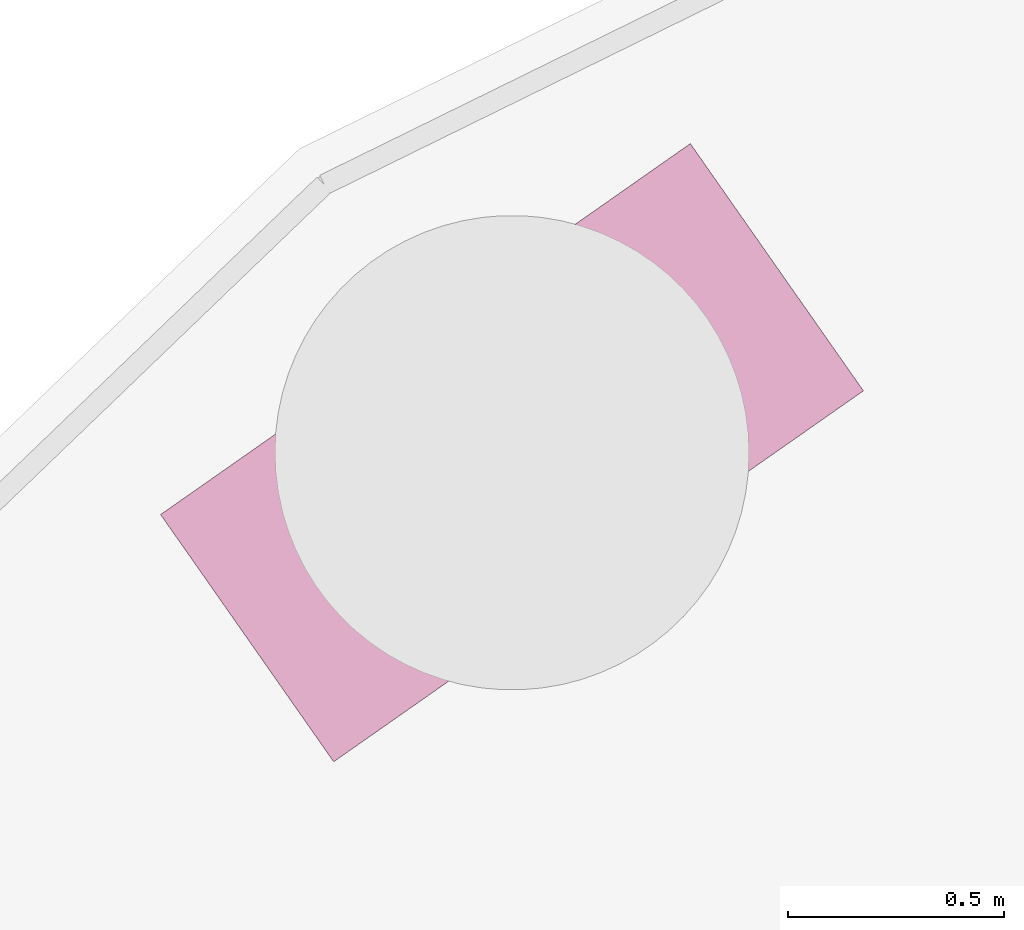
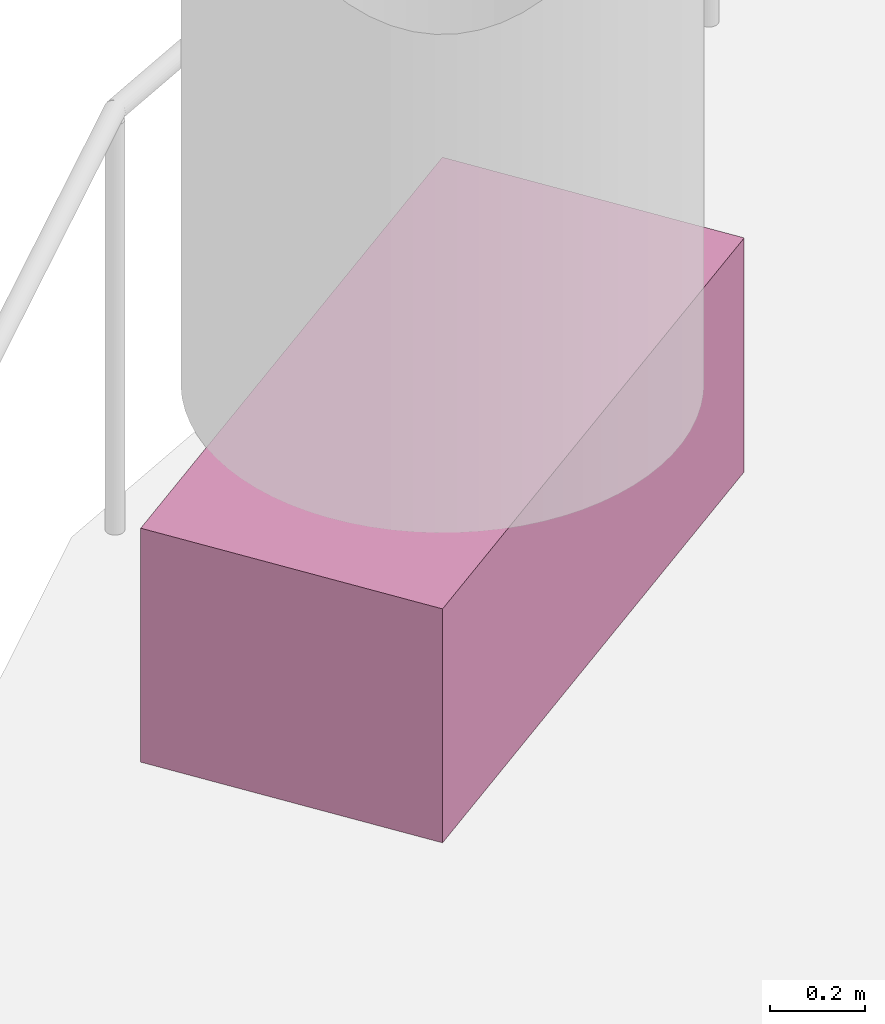
# One storey, part 13 of 14: 1 furniture element.
"""IFC4 building model written with IfcOpenShell, lengths in metres."""

from ifc_helpers import new_model, si_unit, direction, frame, origin, origin_2d, place, context, subcontext, project, spatial, rectangle, extrude, element, save


model = new_model("IFC4")

# Units and contexts
model_context = context("Model", 3, precision=1e-05, world=origin(), true_north=direction((0.0, 1.0)))
body_context = subcontext(model_context, "Body", "Model", "MODEL_VIEW")
ifc_project = project(units=[si_unit("LENGTHUNIT", "METRE"), si_unit("AREAUNIT", "SQUARE_METRE"), si_unit("VOLUMEUNIT", "CUBIC_METRE"), si_unit("PLANEANGLEUNIT", "RADIAN"), si_unit("MASSUNIT", "GRAM", prefix="KILO")], contexts=[model_context])

# Site, building, storey
site_placement = place(None, origin())
site = spatial("IfcSite", under=ifc_project, at=site_placement, CompositionType="ELEMENT")
building_placement = place(site_placement, origin())
building = spatial("IfcBuilding", under=site, at=building_placement, Name="Skarvind Civic Tower", CompositionType="ELEMENT")
storey_placement = place(building_placement, frame((0.0, 0.0, 105.0)))
storey = spatial("IfcBuildingStorey", under=building, at=storey_placement, Name="L24", CompositionType="ELEMENT", Elevation=105.0)

# Furniture
furniture_placement = place(storey_placement, frame((40.187744140625, 136.30078125, 0.0), z_axis=(0.0, 0.0, 1.0), x_axis=(0.819152044289, 0.573576436351, 0.0)))
element("IfcFurniture", 1, at=furniture_placement, inside=storey, Name="TERRACE PLANTER", ObjectType="PLANTER", PredefinedType="USERDEFINED", context=body_context, shape_type="SweptSolid", body=[
    extrude(rectangle(XDim=1.5, YDim=0.699951171875, at=origin_2d()), origin(), (0.0, 0.0, 1.0), 0.60009765625),
])

save(model, "model.ifc")
